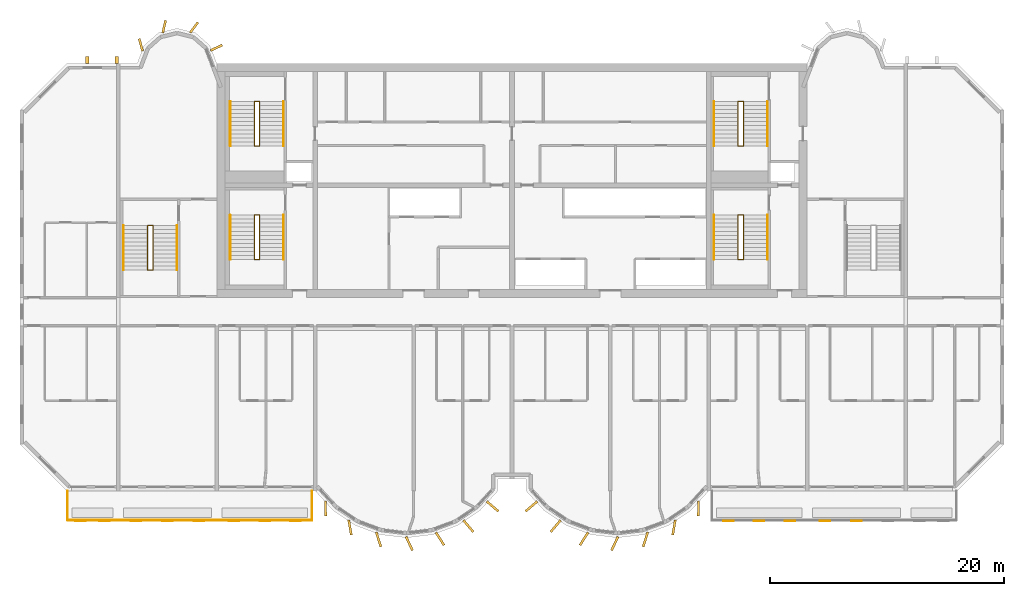
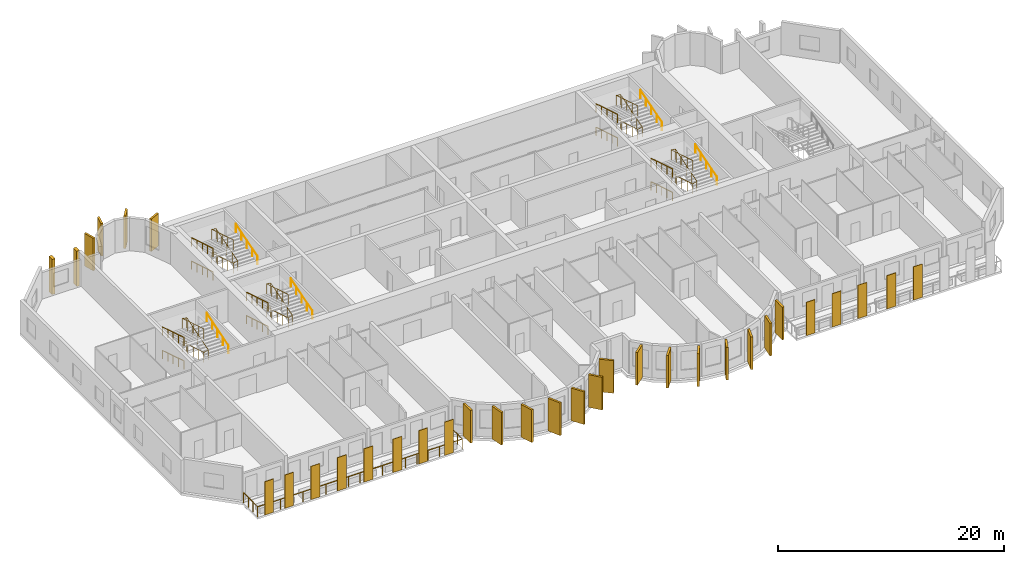
# One storey, part 11 of 13: 33 coverings, 21 railings.
"""IFC4 building model written with IfcOpenShell, lengths in metres."""

from ifc_helpers import new_model, si_unit, direction, frame, origin, origin_2d, place, context, subcontext, project, spatial, rectangle, circle, extrude, source, transform, mapped, material, layer, layer_set, material_profile, profile_set, type_object, element, save


model = new_model("IFC4")

# Units and contexts
model_context = context("Model", 3, precision=1e-05, world=origin(), true_north=direction((0.0, 1.0)))
body_context = subcontext(model_context, "Body", "Model", "MODEL_VIEW")
ifc_project = project(units=[si_unit("LENGTHUNIT", "METRE"), si_unit("AREAUNIT", "SQUARE_METRE"), si_unit("VOLUMEUNIT", "CUBIC_METRE"), si_unit("PLANEANGLEUNIT", "RADIAN"), si_unit("MASSUNIT", "GRAM", prefix="KILO")], contexts=[model_context])

# Site, building, storey
site_placement = place(None, origin())
site = spatial("IfcSite", under=ifc_project, at=site_placement, CompositionType="ELEMENT")
building_placement = place(site_placement, origin())
building = spatial("IfcBuilding", under=site, at=building_placement, Name="Vanashikhar Sky Hotel", CompositionType="ELEMENT")
storey_placement = place(building_placement, frame((0.0, 0.0, 151.60009765625)))
storey = spatial("IfcBuildingStorey", under=building, at=storey_placement, Name="L36", CompositionType="ELEMENT", Elevation=151.60009765625)

# Coverings
ifc_material_1 = material(Name="Terracotta", Category="masonry")
ifc_layer = layer(ifc_material_1, 0.06005859375)
ifc_layer_set = layer_set([ifc_layer], Name="Terracotta baguette screen")
covering_type_1 = type_object("IfcCoveringType", Name="Terracotta baguette screen", PredefinedType="CLADDING", material=ifc_layer_set)
shared_shape_1 = source(origin(), body_context, "Body", "SweptSolid", [
    extrude(rectangle(XDim=0.89990234375, YDim=0.06005859375, at=origin_2d()), origin(), (0.0, 0.0, 1.0), 3.60009765625),
])
for number, where, z_axis, x_axis, name in (
    (1, (13.574951171875, 2.929931640625, -0.050048828125), (0.0, 0.0, 1.0), (1.0, 0.0, 0.0), "Terracotta screen"),
    (2, (15.625, 2.929931640625, -0.050048828125), (0.0, 0.0, 1.0), (1.0, 0.0, 0.0), "Terracotta screen"),
    (3, (18.300048828125, 2.929931640625, -0.050048828125), (0.0, 0.0, 1.0), (1.0, 0.0, 0.0), "Terracotta screen"),
    (4, (21.0, 2.929931640625, -0.050048828125), (0.0, 0.0, 1.0), (1.0, 0.0, 0.0), "Terracotta screen"),
    (5, (23.699951171875, 2.929931640625, -0.050048828125), (0.0, 0.0, 1.0), (1.0, 0.0, 0.0), "Terracotta screen"),
    (6, (26.666748046875, 2.929931640625, -0.050048828125), (0.0, 0.0, 1.0), (1.0, 0.0, 0.0), "Terracotta screen"),
    (7, (29.300048828125, 2.929931640625, -0.050048828125), (0.0, 0.0, 1.0), (1.0, 0.0, 0.0), "Terracotta screen"),
    (8, (31.933349609375, 2.929931640625, -0.050048828125), (0.0, 0.0, 1.0), (1.0, 0.0, 0.0), "Terracotta screen"),
    (9, (68.86669921875, 2.929931640625, -0.050048828125), (0.0, 0.0, 1.0), (1.0, 0.0, 0.0), "Terracotta screen"),
    (10, (71.5, 2.929931640625, -0.050048828125), (0.0, 0.0, 1.0), (1.0, 0.0, 0.0), "Terracotta screen"),
    (11, (74.13330078125, 2.929931640625, -0.050048828125), (0.0, 0.0, 1.0), (1.0, 0.0, 0.0), "Terracotta screen"),
    (12, (77.10009765625, 2.929931640625, -0.050048828125), (0.0, 0.0, 1.0), (1.0, 0.0, 0.0), "Terracotta screen"),
    (13, (79.800048828125, 2.929931640625, -0.050048828125), (0.0, 0.0, 1.0), (1.0, 0.0, 0.0), "Terracotta screen"),
):
    element("IfcCovering", number, at=place(storey_placement, frame(where, z_axis=z_axis, x_axis=x_axis)), inside=storey, type_object=covering_type_1, Name=name, PredefinedType="CLADDING", context=body_context, shape_type="MappedRepresentation", body=[
        mapped(shared_shape_1, transform((0.0, 0.0, 0.0), scale=1.0)),
    ])
ifc_material_2 = material(Name="Concrete M60 dark", Category="concrete")
ifc_material_profile_1 = material_profile(ifc_material_2, rectangle(XDim=1.300048828125, YDim=0.199951171875, at=origin_2d()))
ifc_profile_set_1 = profile_set([ifc_material_profile_1], Name="Fin 1300 x 200")
covering_type_2 = type_object("IfcCoveringType", Name="Fin 1300 x 200", PredefinedType="CLADDING", material=ifc_profile_set_1)
shared_shape_2 = source(origin(), body_context, "Body", "SweptSolid", [
    extrude(rectangle(XDim=1.300048828125, YDim=0.199951171875, at=origin_2d()), origin(), (0.0, 0.0, 1.0), 3.52001953125),
])
for number, where, z_axis, x_axis, name in (
    (14, (34.482421875, 3.992919921875, 0.0), (0.0, 0.0, 1.0), (0.011588726826, -0.999932848451, 0.0), "Fin F1-1"),
    (15, (36.572509765625, 2.3779296875, 0.0), (0.0, 0.0, 1.0), (0.16989991575, -0.985461322746, 0.0), "Fin F1-2"),
    (16, (39.00830078125, 1.35693359375, 0.0), (0.0, 0.0, 1.0), (0.303966551867, -0.952682704444, 0.0), "Fin F1-3"),
    (17, (41.63232421875, 1.00146484375, 0.0), (0.0, 0.0, 1.0), (0.422618261741, -0.906307787037, 0.0), "Fin F1-4"),
    (18, (44.251953125, 1.416015625, 0.0), (0.0, 0.0, 1.0), (0.534411358496, -0.845224526331, 0.0), "Fin F1-5"),
    (19, (46.676025390625, 2.5, 0.0), (0.0, 0.0, 1.0), (0.645697609467, -0.763593214433, 0.0), "Fin F1-6"),
    (20, (48.7412109375, 4.1845703125, 0.0), (0.0, 0.0, 1.0), (0.758543912032, -0.65162192529, 0.0), "Fin F1-7"),
    (21, (52.058837890625, 4.1845703125, 0.0), (0.0, 0.0, 1.0), (-0.758543912032, -0.65162192529, 0.0), "Fin F2-1"),
    (22, (54.123779296875, 2.5, 0.0), (0.0, 0.0, 1.0), (-0.645697609467, -0.763593214433, 0.0), "Fin F2-2"),
    (23, (56.547119140625, 1.416015625, 0.0), (0.0, 0.0, 1.0), (-0.534411358496, -0.845224526331, 0.0), "Fin F2-3"),
    (24, (59.16748046875, 1.00146484375, 0.0), (0.0, 0.0, 1.0), (-0.422618261741, -0.906307787037, 0.0), "Fin F2-4"),
    (25, (61.790771484375, 1.35693359375, 0.0), (0.0, 0.0, 1.0), (-0.303966551867, -0.952682704444, 0.0), "Fin F2-5"),
    (26, (64.2275390625, 2.3779296875, 0.0), (0.0, 0.0, 1.0), (-0.16989991575, -0.985461322746, 0.0), "Fin F2-6"),
    (27, (66.317626953125, 3.992919921875, 0.0), (0.0, 0.0, 1.0), (-0.011588726826, -0.999932848451, 0.0), "Fin F2-7"),
):
    element("IfcCovering", number, at=place(storey_placement, frame(where, z_axis=z_axis, x_axis=x_axis)), inside=storey, type_object=covering_type_2, Name=name, PredefinedType="CLADDING", context=body_context, shape_type="MappedRepresentation", body=[
        mapped(shared_shape_2, transform((0.0, 0.0, 0.0), scale=1.0)),
    ])
ifc_material_profile_2 = material_profile(ifc_material_2, rectangle(XDim=1.10009765625, YDim=0.199951171875, at=origin_2d()))
ifc_profile_set_2 = profile_set([ifc_material_profile_2], Name="Rear lobe fin 1100 x 200")
covering_type_3 = type_object("IfcCoveringType", Name="Rear lobe fin 1100 x 200", PredefinedType="CLADDING", material=ifc_profile_set_2)
shared_shape_3 = source(origin(), body_context, "Body", "SweptSolid", [
    extrude(rectangle(XDim=1.10009765625, YDim=0.199951171875, at=origin_2d()), origin(), (0.0, 0.0, 1.0), 3.52001953125),
])
for number, where, z_axis, x_axis, name in (
    (28, (18.720703125, 43.580078125, 0.0), (0.0, 0.0, 1.0), (-0.262711264409, 0.964874495234, 0.0), "Fin R1-1"),
    (29, (20.710205078125, 45.1455078125, 0.0), (0.0, 0.0, 1.0), (0.224644935864, 0.974440687159, 0.0), "Fin R1-2"),
    (30, (23.261962890625, 45.06640625, 0.0), (0.0, 0.0, 1.0), (0.602065892195, 0.798446404874, 0.0), "Fin R1-3"),
    (31, (25.169677734375, 43.33447265625, 0.0), (0.0, 0.0, 1.0), (0.908004291068, 0.418960866193, 0.0), "Fin R1-4"),
):
    element("IfcCovering", number, at=place(storey_placement, frame(where, z_axis=z_axis, x_axis=x_axis)), inside=storey, type_object=covering_type_3, Name=name, PredefinedType="CLADDING", context=body_context, shape_type="MappedRepresentation", body=[
        mapped(shared_shape_3, transform((0.0, 0.0, 0.0), scale=1.0)),
    ])

# Railing
ifc_material_3 = material(Name="Stainless steel 316", Category="steel")
railing_type_1 = type_object("IfcRailingType", Name="Balcony guard 1100", PredefinedType="GUARDRAIL", material=ifc_material_3)
shared_shape_4 = source(origin(), body_context, "Body", "SweptSolid", [
    extrude(circle(Radius=0.02392578125, at=origin_2d()), frame((0.0, 0.0, 1.076171875), z_axis=(0.0, -1.0, 0.0), x_axis=(1.0, 0.0, 0.0)), (0.0, 0.0, 1.0), 2.5),
    extrude(circle(Radius=0.02392578125, at=origin_2d()), frame((0.0, -2.5, 1.076171875), z_axis=(1.0, 0.0, 0.0), x_axis=(0.0, 1.0, 0.0)), (0.0, 0.0, 1.0), 20.880126953125),
    extrude(circle(Radius=0.02392578125, at=origin_2d()), frame((20.880126953125, -2.5, 1.076171875), z_axis=(0.0, 1.0, 0.0), x_axis=(-1.0, 0.0, 0.0)), (0.0, 0.0, 1.0), 2.5),
    extrude(circle(Radius=0.02099609375, at=origin_2d()), origin(), (0.0, 0.0, 1.0), 1.052001953125),
    extrude(circle(Radius=0.02099609375, at=origin_2d()), frame((0.0, -0.833251953125, 0.0)), (0.0, 0.0, 1.0), 1.052001953125),
    extrude(circle(Radius=0.02099609375, at=origin_2d()), frame((0.0, -1.666748046875, 0.0)), (0.0, 0.0, 1.0), 1.052001953125),
    extrude(circle(Radius=0.02099609375, at=origin_2d()), frame((0.0, -2.5, 0.0)), (0.0, 0.0, 1.0), 1.052001953125),
    extrude(circle(Radius=0.02099609375, at=origin_2d()), frame((1.159912109375, -2.5, 0.0)), (0.0, 0.0, 1.0), 1.052001953125),
    extrude(circle(Radius=0.02099609375, at=origin_2d()), frame((2.320068359375, -2.5, 0.0)), (0.0, 0.0, 1.0), 1.052001953125),
    extrude(circle(Radius=0.02099609375, at=origin_2d()), frame((3.47998046875, -2.5, 0.0)), (0.0, 0.0, 1.0), 1.052001953125),
    extrude(circle(Radius=0.02099609375, at=origin_2d()), frame((4.64013671875, -2.5, 0.0)), (0.0, 0.0, 1.0), 1.052001953125),
    extrude(circle(Radius=0.02099609375, at=origin_2d()), frame((5.800048828125, -2.5, 0.0)), (0.0, 0.0, 1.0), 1.052001953125),
    extrude(circle(Radius=0.02099609375, at=origin_2d()), frame((6.9599609375, -2.5, 0.0)), (0.0, 0.0, 1.0), 1.052001953125),
    extrude(circle(Radius=0.02099609375, at=origin_2d()), frame((8.1201171875, -2.5, 0.0)), (0.0, 0.0, 1.0), 1.052001953125),
    extrude(circle(Radius=0.02099609375, at=origin_2d()), frame((9.280029296875, -2.5, 0.0)), (0.0, 0.0, 1.0), 1.052001953125),
    extrude(circle(Radius=0.02099609375, at=origin_2d()), frame((10.43994140625, -2.5, 0.0)), (0.0, 0.0, 1.0), 1.052001953125),
    extrude(circle(Radius=0.02099609375, at=origin_2d()), frame((11.60009765625, -2.5, 0.0)), (0.0, 0.0, 1.0), 1.052001953125),
    extrude(circle(Radius=0.02099609375, at=origin_2d()), frame((12.760009765625, -2.5, 0.0)), (0.0, 0.0, 1.0), 1.052001953125),
    extrude(circle(Radius=0.02099609375, at=origin_2d()), frame((13.920166015625, -2.5, 0.0)), (0.0, 0.0, 1.0), 1.052001953125),
    extrude(circle(Radius=0.02099609375, at=origin_2d()), frame((15.080078125, -2.5, 0.0)), (0.0, 0.0, 1.0), 1.052001953125),
    extrude(circle(Radius=0.02099609375, at=origin_2d()), frame((16.239990234375, -2.5, 0.0)), (0.0, 0.0, 1.0), 1.052001953125),
    extrude(circle(Radius=0.02099609375, at=origin_2d()), frame((17.400146484375, -2.5, 0.0)), (0.0, 0.0, 1.0), 1.052001953125),
    extrude(circle(Radius=0.02099609375, at=origin_2d()), frame((18.56005859375, -2.5, 0.0)), (0.0, 0.0, 1.0), 1.052001953125),
    extrude(circle(Radius=0.02099609375, at=origin_2d()), frame((19.72021484375, -2.5, 0.0)), (0.0, 0.0, 1.0), 1.052001953125),
    extrude(circle(Radius=0.02099609375, at=origin_2d()), frame((20.880126953125, -2.5, 0.0)), (0.0, 0.0, 1.0), 1.052001953125),
    extrude(circle(Radius=0.02099609375, at=origin_2d()), frame((20.880126953125, -1.666748046875, 0.0)), (0.0, 0.0, 1.0), 1.052001953125),
    extrude(circle(Radius=0.02099609375, at=origin_2d()), frame((20.880126953125, -0.833251953125, 0.0)), (0.0, 0.0, 1.0), 1.052001953125),
    extrude(circle(Radius=0.02099609375, at=origin_2d()), frame((20.880126953125, 0.0, 0.0)), (0.0, 0.0, 1.0), 1.052001953125),
])
railing_1_placement = place(storey_placement, frame((12.4599609375, 5.5, -0.050048828125)))
element("IfcRailing", 32, at=railing_1_placement, inside=storey, type_object=railing_type_1, Name="Balcony guard", PredefinedType="GUARDRAIL", context=body_context, shape_type="MappedRepresentation", body=[
    mapped(shared_shape_4, transform((0.0, 0.0, 0.0), scale=1.0)),
])

# Coverings
ifc_material_profile_3 = material_profile(ifc_material_2, rectangle(XDim=0.60009765625, YDim=0.300048828125, at=origin_2d()))
ifc_profile_set_3 = profile_set([ifc_material_profile_3], Name="Rear rib 600 x 300")
covering_type_4 = type_object("IfcCoveringType", Name="Rear rib 600 x 300", PredefinedType="CLADDING", material=ifc_profile_set_3)
shared_shape_5 = source(origin(), body_context, "Body", "SweptSolid", [
    extrude(rectangle(XDim=0.60009765625, YDim=0.300048828125, at=origin_2d()), origin(), (0.0, 0.0, 1.0), 3.800048828125),
])
for number, where, z_axis, x_axis, name in (
    (33, (14.14990234375, 42.300048828125, -0.280029296875), (0.0, 0.0, 1.0), (0.0, 1.0, 0.0), "Rear rib"),
    (34, (16.64990234375, 42.300048828125, -0.280029296875), (0.0, 0.0, 1.0), (0.0, 1.0, 0.0), "Rear rib"),
):
    element("IfcCovering", number, at=place(storey_placement, frame(where, z_axis=z_axis, x_axis=x_axis)), inside=storey, type_object=covering_type_4, Name=name, PredefinedType="CLADDING", context=body_context, shape_type="MappedRepresentation", body=[
        mapped(shared_shape_5, transform((0.0, 0.0, 0.0), scale=1.0)),
    ])

# Railings
ifc_material_4 = material(Name="Steel S355", Category="steel")
railing_type_2 = type_object("IfcRailingType", Name="Stair handrail 900", PredefinedType="HANDRAIL", material=ifc_material_4)
shared_shape_6 = source(origin(), body_context, "Body", "SweptSolid", [
    extrude(circle(Radius=0.02392578125, at=origin_2d()), frame((0.0, 0.0, 0.8759765625), z_axis=(0.0, 0.95635109408, 0.292220096591), x_axis=(-1.0, 0.0, 0.0)), (0.0, 0.0, 1.0), 3.973388671875),
    extrude(circle(Radius=0.02099609375, at=origin_2d()), origin(), (0.0, 0.0, 1.0), 0.851806640625),
    extrude(circle(Radius=0.02099609375, at=origin_2d()), frame((0.0, 0.949951171875, 0.290283203125)), (0.0, 0.0, 1.0), 0.851806640625),
    extrude(circle(Radius=0.02099609375, at=origin_2d()), frame((0.0, 1.89990234375, 0.58056640625)), (0.0, 0.0, 1.0), 0.851806640625),
    extrude(circle(Radius=0.02099609375, at=origin_2d()), frame((0.0, 2.85009765625, 0.870849609375)), (0.0, 0.0, 1.0), 0.851806640625),
    extrude(circle(Radius=0.02099609375, at=origin_2d()), frame((0.0, 3.800048828125, 1.1611328125)), (0.0, 0.0, 1.0), 0.851806640625),
])
for number, where, name in (
    (35, (30.89990234375, 25.25, 1.3720703125), "Exit stair 1 handrail"),
    (36, (72.199951171875, 25.25, 1.3720703125), "Exit stair 2 handrail"),
    (37, (30.89990234375, 34.949951171875, 1.3720703125), "Exit stair 5 handrail"),
    (38, (72.199951171875, 34.949951171875, 1.3720703125), "Exit stair 6 handrail"),
):
    element("IfcRailing", number, at=place(storey_placement, frame(where)), inside=storey, type_object=railing_type_2, Name=name, PredefinedType="HANDRAIL", context=body_context, shape_type="MappedRepresentation", body=[
        mapped(shared_shape_6, transform((0.0, 0.0, 0.0), scale=1.0)),
    ])
shared_shape_7 = source(origin(), body_context, "Body", "SweptSolid", [
    extrude(circle(Radius=0.02392578125, at=origin_2d()), frame((0.0, 0.0, 0.8759765625), z_axis=(0.0, -0.95635109408, 0.292220096591), x_axis=(1.0, 0.0, 0.0)), (0.0, 0.0, 1.0), 3.973388671875),
    extrude(circle(Radius=0.02099609375, at=origin_2d()), origin(), (0.0, 0.0, 1.0), 0.851806640625),
    extrude(circle(Radius=0.02099609375, at=origin_2d()), frame((0.0, -0.949951171875, 0.290283203125)), (0.0, 0.0, 1.0), 0.851806640625),
    extrude(circle(Radius=0.02099609375, at=origin_2d()), frame((0.0, -1.89990234375, 0.58056640625)), (0.0, 0.0, 1.0), 0.851806640625),
    extrude(circle(Radius=0.02099609375, at=origin_2d()), frame((0.0, -2.85009765625, 0.870849609375)), (0.0, 0.0, 1.0), 0.851806640625),
    extrude(circle(Radius=0.02099609375, at=origin_2d()), frame((0.0, -3.800048828125, 1.1611328125)), (0.0, 0.0, 1.0), 0.851806640625),
])
for number, where, name in (
    (39, (26.35009765625, 29.050048828125, 0.10546875), "Exit stair 1 handrail"),
    (40, (26.35009765625, 29.050048828125, 2.638671875), "Exit stair 1 handrail"),
    (41, (67.64990234375, 29.050048828125, 0.10546875), "Exit stair 2 handrail"),
    (42, (67.64990234375, 29.050048828125, 2.638671875), "Exit stair 2 handrail"),
    (43, (26.35009765625, 38.75, 0.10546875), "Exit stair 5 handrail"),
    (44, (26.35009765625, 38.75, 2.638671875), "Exit stair 5 handrail"),
    (45, (67.64990234375, 38.75, 0.10546875), "Exit stair 6 handrail"),
    (46, (67.64990234375, 38.75, 2.638671875), "Exit stair 6 handrail"),
):
    element("IfcRailing", number, at=place(storey_placement, frame(where)), inside=storey, type_object=railing_type_2, Name=name, PredefinedType="HANDRAIL", context=body_context, shape_type="MappedRepresentation", body=[
        mapped(shared_shape_7, transform((0.0, 0.0, 0.0), scale=1.0)),
    ])
railing_type_3 = type_object("IfcRailingType", Name="Stair guard 1100", PredefinedType="GUARDRAIL", material=ifc_material_4)
shared_shape_8 = source(origin(), body_context, "Body", "SweptSolid", [
    extrude(circle(Radius=0.02392578125, at=origin_2d()), frame((0.0, 0.0, 1.076171875), z_axis=(-0.973638301096, 0.0, 0.228097476179), x_axis=(0.0, -1.0, 0.0)), (0.0, 0.0, 1.0), 0.46240234375),
    extrude(circle(Radius=0.02392578125, at=origin_2d()), frame((-0.4501953125, 0.0, 1.181640625), z_axis=(0.0, -0.95635109408, 0.292220096591), x_axis=(1.0, 0.0, 0.0)), (0.0, 0.0, 1.0), 3.973388671875),
    extrude(circle(Radius=0.02392578125, at=origin_2d()), frame((-0.4501953125, -3.800048828125, 2.3427734375), z_axis=(0.973638301096, 0.0, 0.228097476179), x_axis=(0.0, 1.0, 0.0)), (0.0, 0.0, 1.0), 0.46240234375),
    extrude(circle(Radius=0.02392578125, at=origin_2d()), frame((0.0, -3.800048828125, 2.4482421875), z_axis=(0.0, 0.95635109408, 0.292220096591), x_axis=(-1.0, 0.0, 0.0)), (0.0, 0.0, 1.0), 3.973388671875),
    extrude(circle(Radius=0.02392578125, at=origin_2d()), frame((0.0, 0.0, 3.609375), z_axis=(-0.973638301096, 0.0, 0.228097476179), x_axis=(0.0, -1.0, 0.0)), (0.0, 0.0, 1.0), 0.46240234375),
    extrude(circle(Radius=0.02392578125, at=origin_2d()), frame((-0.4501953125, 0.0, 3.71484375), z_axis=(0.0, -0.95635109408, 0.292220096591), x_axis=(1.0, 0.0, 0.0)), (0.0, 0.0, 1.0), 3.973388671875),
    extrude(circle(Radius=0.02099609375, at=origin_2d()), origin(), (0.0, 0.0, 1.0), 1.052001953125),
    extrude(circle(Radius=0.02099609375, at=origin_2d()), frame((-0.4501953125, 0.0, 0.10546875)), (0.0, 0.0, 1.0), 1.052001953125),
    extrude(circle(Radius=0.02099609375, at=origin_2d()), frame((-0.4501953125, -0.949951171875, 0.395751953125)), (0.0, 0.0, 1.0), 1.052001953125),
    extrude(circle(Radius=0.02099609375, at=origin_2d()), frame((-0.4501953125, -1.89990234375, 0.68603515625)), (0.0, 0.0, 1.0), 1.052001953125),
    extrude(circle(Radius=0.02099609375, at=origin_2d()), frame((-0.4501953125, -2.85009765625, 0.976318359375)), (0.0, 0.0, 1.0), 1.052001953125),
    extrude(circle(Radius=0.02099609375, at=origin_2d()), frame((-0.4501953125, -3.800048828125, 1.2666015625)), (0.0, 0.0, 1.0), 1.052001953125),
    extrude(circle(Radius=0.02099609375, at=origin_2d()), frame((0.0, -3.800048828125, 1.3720703125)), (0.0, 0.0, 1.0), 1.052001953125),
    extrude(circle(Radius=0.02099609375, at=origin_2d()), frame((0.0, -2.85009765625, 1.662353515625)), (0.0, 0.0, 1.0), 1.052001953125),
    extrude(circle(Radius=0.02099609375, at=origin_2d()), frame((0.0, -1.89990234375, 1.95263671875)), (0.0, 0.0, 1.0), 1.052001953125),
    extrude(circle(Radius=0.02099609375, at=origin_2d()), frame((0.0, -0.949951171875, 2.242919921875)), (0.0, 0.0, 1.0), 1.052001953125),
    extrude(circle(Radius=0.02099609375, at=origin_2d()), frame((0.0, 0.0, 2.533203125)), (0.0, 0.0, 1.0), 1.052001953125),
    extrude(circle(Radius=0.02099609375, at=origin_2d()), frame((-0.4501953125, 0.0, 2.638671875)), (0.0, 0.0, 1.0), 1.052001953125),
    extrude(circle(Radius=0.02099609375, at=origin_2d()), frame((-0.4501953125, -0.949951171875, 2.928955078125)), (0.0, 0.0, 1.0), 1.052001953125),
    extrude(circle(Radius=0.02099609375, at=origin_2d()), frame((-0.4501953125, -1.89990234375, 3.21923828125)), (0.0, 0.0, 1.0), 1.052001953125),
    extrude(circle(Radius=0.02099609375, at=origin_2d()), frame((-0.4501953125, -2.85009765625, 3.509521484375)), (0.0, 0.0, 1.0), 1.052001953125),
    extrude(circle(Radius=0.02099609375, at=origin_2d()), frame((-0.4501953125, -3.800048828125, 3.7998046875)), (0.0, 0.0, 1.0), 1.052001953125),
])
for number, where, name in (
    (47, (28.85009765625, 29.050048828125, 0.0), "Exit stair 1 guard"),
    (48, (28.85009765625, 38.75, 0.0), "Exit stair 5 guard"),
):
    element("IfcRailing", number, at=place(storey_placement, frame(where)), inside=storey, type_object=railing_type_3, Name=name, PredefinedType="GUARDRAIL", context=body_context, shape_type="MappedRepresentation", body=[
        mapped(shared_shape_8, transform((0.0, 0.0, 0.0), scale=1.0)),
    ])
shared_shape_9 = source(origin(), body_context, "Body", "SweptSolid", [
    extrude(circle(Radius=0.02392578125, at=origin_2d()), frame((0.0, 0.0, 1.076171875), z_axis=(-0.973610808694, 0.0, 0.228214796178), x_axis=(0.0, -1.0, 0.0)), (0.0, 0.0, 1.0), 0.462158203125),
    extrude(circle(Radius=0.02392578125, at=origin_2d()), frame((-0.449951171875, 0.0, 1.181640625), z_axis=(0.0, -0.95635109408, 0.292220096591), x_axis=(1.0, 0.0, 0.0)), (0.0, 0.0, 1.0), 3.973388671875),
    extrude(circle(Radius=0.02392578125, at=origin_2d()), frame((-0.449951171875, -3.800048828125, 2.3427734375), z_axis=(0.973610808694, 0.0, 0.228214796178), x_axis=(0.0, 1.0, 0.0)), (0.0, 0.0, 1.0), 0.462158203125),
    extrude(circle(Radius=0.02392578125, at=origin_2d()), frame((0.0, -3.800048828125, 2.4482421875), z_axis=(0.0, 0.95635109408, 0.292220096591), x_axis=(-1.0, 0.0, 0.0)), (0.0, 0.0, 1.0), 3.973388671875),
    extrude(circle(Radius=0.02392578125, at=origin_2d()), frame((0.0, 0.0, 3.609375), z_axis=(-0.973610808694, 0.0, 0.228214796178), x_axis=(0.0, -1.0, 0.0)), (0.0, 0.0, 1.0), 0.462158203125),
    extrude(circle(Radius=0.02392578125, at=origin_2d()), frame((-0.449951171875, 0.0, 3.71484375), z_axis=(0.0, -0.95635109408, 0.292220096591), x_axis=(1.0, 0.0, 0.0)), (0.0, 0.0, 1.0), 3.973388671875),
    extrude(circle(Radius=0.02099609375, at=origin_2d()), origin(), (0.0, 0.0, 1.0), 1.052001953125),
    extrude(circle(Radius=0.02099609375, at=origin_2d()), frame((-0.449951171875, 0.0, 0.10546875)), (0.0, 0.0, 1.0), 1.052001953125),
    extrude(circle(Radius=0.02099609375, at=origin_2d()), frame((-0.449951171875, -0.949951171875, 0.395751953125)), (0.0, 0.0, 1.0), 1.052001953125),
    extrude(circle(Radius=0.02099609375, at=origin_2d()), frame((-0.449951171875, -1.89990234375, 0.68603515625)), (0.0, 0.0, 1.0), 1.052001953125),
    extrude(circle(Radius=0.02099609375, at=origin_2d()), frame((-0.449951171875, -2.85009765625, 0.976318359375)), (0.0, 0.0, 1.0), 1.052001953125),
    extrude(circle(Radius=0.02099609375, at=origin_2d()), frame((-0.449951171875, -3.800048828125, 1.2666015625)), (0.0, 0.0, 1.0), 1.052001953125),
    extrude(circle(Radius=0.02099609375, at=origin_2d()), frame((0.0, -3.800048828125, 1.3720703125)), (0.0, 0.0, 1.0), 1.052001953125),
    extrude(circle(Radius=0.02099609375, at=origin_2d()), frame((0.0, -2.85009765625, 1.662353515625)), (0.0, 0.0, 1.0), 1.052001953125),
    extrude(circle(Radius=0.02099609375, at=origin_2d()), frame((0.0, -1.89990234375, 1.95263671875)), (0.0, 0.0, 1.0), 1.052001953125),
    extrude(circle(Radius=0.02099609375, at=origin_2d()), frame((0.0, -0.949951171875, 2.242919921875)), (0.0, 0.0, 1.0), 1.052001953125),
    extrude(circle(Radius=0.02099609375, at=origin_2d()), frame((0.0, 0.0, 2.533203125)), (0.0, 0.0, 1.0), 1.052001953125),
    extrude(circle(Radius=0.02099609375, at=origin_2d()), frame((-0.449951171875, 0.0, 2.638671875)), (0.0, 0.0, 1.0), 1.052001953125),
    extrude(circle(Radius=0.02099609375, at=origin_2d()), frame((-0.449951171875, -0.949951171875, 2.928955078125)), (0.0, 0.0, 1.0), 1.052001953125),
    extrude(circle(Radius=0.02099609375, at=origin_2d()), frame((-0.449951171875, -1.89990234375, 3.21923828125)), (0.0, 0.0, 1.0), 1.052001953125),
    extrude(circle(Radius=0.02099609375, at=origin_2d()), frame((-0.449951171875, -2.85009765625, 3.509521484375)), (0.0, 0.0, 1.0), 1.052001953125),
    extrude(circle(Radius=0.02099609375, at=origin_2d()), frame((-0.449951171875, -3.800048828125, 3.7998046875)), (0.0, 0.0, 1.0), 1.052001953125),
])
for number, where, name in (
    (49, (70.14990234375, 29.050048828125, 0.0), "Exit stair 2 guard"),
    (50, (70.14990234375, 38.75, 0.0), "Exit stair 6 guard"),
):
    element("IfcRailing", number, at=place(storey_placement, frame(where)), inside=storey, type_object=railing_type_3, Name=name, PredefinedType="GUARDRAIL", context=body_context, shape_type="MappedRepresentation", body=[
        mapped(shared_shape_9, transform((0.0, 0.0, 0.0), scale=1.0)),
    ])
shared_shape_10 = source(origin(), body_context, "Body", "SweptSolid", [
    extrude(circle(Radius=0.02392578125, at=origin_2d()), frame((0.0, 0.0, 0.8759765625), z_axis=(0.0, 0.956345846891, 0.292237268557), x_axis=(-1.0, 0.0, 0.0)), (0.0, 0.0, 1.0), 3.97314453125),
    extrude(circle(Radius=0.02099609375, at=origin_2d()), origin(), (0.0, 0.0, 1.0), 0.851806640625),
    extrude(circle(Radius=0.02099609375, at=origin_2d()), frame((0.0, 0.949951171875, 0.290283203125)), (0.0, 0.0, 1.0), 0.851806640625),
    extrude(circle(Radius=0.02099609375, at=origin_2d()), frame((0.0, 1.89990234375, 0.58056640625)), (0.0, 0.0, 1.0), 0.851806640625),
    extrude(circle(Radius=0.02099609375, at=origin_2d()), frame((0.0, 2.849853515625, 0.870849609375)), (0.0, 0.0, 1.0), 0.851806640625),
    extrude(circle(Radius=0.02099609375, at=origin_2d()), frame((0.0, 3.7998046875, 1.1611328125)), (0.0, 0.0, 1.0), 0.851806640625),
])
railing_2_placement = place(storey_placement, frame((21.800048828125, 24.35009765625, 1.3720703125)))
element("IfcRailing", 51, at=railing_2_placement, inside=storey, type_object=railing_type_2, Name="Exit stair 3 handrail", PredefinedType="HANDRAIL", context=body_context, shape_type="MappedRepresentation", body=[
    mapped(shared_shape_10, transform((0.0, 0.0, 0.0), scale=1.0)),
])
shared_shape_11 = source(origin(), body_context, "Body", "SweptSolid", [
    extrude(circle(Radius=0.02392578125, at=origin_2d()), frame((0.0, 0.0, 0.8759765625), z_axis=(0.0, -0.956345846891, 0.292237268557), x_axis=(1.0, 0.0, 0.0)), (0.0, 0.0, 1.0), 3.97314453125),
    extrude(circle(Radius=0.02099609375, at=origin_2d()), origin(), (0.0, 0.0, 1.0), 0.851806640625),
    extrude(circle(Radius=0.02099609375, at=origin_2d()), frame((0.0, -0.949951171875, 0.290283203125)), (0.0, 0.0, 1.0), 0.851806640625),
    extrude(circle(Radius=0.02099609375, at=origin_2d()), frame((0.0, -1.89990234375, 0.58056640625)), (0.0, 0.0, 1.0), 0.851806640625),
    extrude(circle(Radius=0.02099609375, at=origin_2d()), frame((0.0, -2.849853515625, 0.870849609375)), (0.0, 0.0, 1.0), 0.851806640625),
    extrude(circle(Radius=0.02099609375, at=origin_2d()), frame((0.0, -3.7998046875, 1.1611328125)), (0.0, 0.0, 1.0), 0.851806640625),
])
for number, where, name in (
    (52, (17.25, 28.14990234375, 0.10546875), "Exit stair 3 handrail"),
    (53, (17.25, 28.14990234375, 2.638671875), "Exit stair 3 handrail"),
):
    element("IfcRailing", number, at=place(storey_placement, frame(where)), inside=storey, type_object=railing_type_2, Name=name, PredefinedType="HANDRAIL", context=body_context, shape_type="MappedRepresentation", body=[
        mapped(shared_shape_11, transform((0.0, 0.0, 0.0), scale=1.0)),
    ])
shared_shape_12 = source(origin(), body_context, "Body", "SweptSolid", [
    extrude(circle(Radius=0.02392578125, at=origin_2d()), frame((0.0, 0.0, 1.076171875), z_axis=(-0.973610808694, 0.0, 0.228214796178), x_axis=(0.0, -1.0, 0.0)), (0.0, 0.0, 1.0), 0.462158203125),
    extrude(circle(Radius=0.02392578125, at=origin_2d()), frame((-0.449951171875, 0.0, 1.181640625), z_axis=(0.0, -0.956345846891, 0.292237268557), x_axis=(1.0, 0.0, 0.0)), (0.0, 0.0, 1.0), 3.97314453125),
    extrude(circle(Radius=0.02392578125, at=origin_2d()), frame((-0.449951171875, -3.7998046875, 2.3427734375), z_axis=(0.973610808694, 0.0, 0.228214796178), x_axis=(0.0, 1.0, 0.0)), (0.0, 0.0, 1.0), 0.462158203125),
    extrude(circle(Radius=0.02392578125, at=origin_2d()), frame((0.0, -3.7998046875, 2.4482421875), z_axis=(0.0, 0.956345846891, 0.292237268557), x_axis=(-1.0, 0.0, 0.0)), (0.0, 0.0, 1.0), 3.97314453125),
    extrude(circle(Radius=0.02392578125, at=origin_2d()), frame((0.0, 0.0, 3.609375), z_axis=(-0.973610808694, 0.0, 0.228214796178), x_axis=(0.0, -1.0, 0.0)), (0.0, 0.0, 1.0), 0.462158203125),
    extrude(circle(Radius=0.02392578125, at=origin_2d()), frame((-0.449951171875, 0.0, 3.71484375), z_axis=(0.0, -0.956345846891, 0.292237268557), x_axis=(1.0, 0.0, 0.0)), (0.0, 0.0, 1.0), 3.97314453125),
    extrude(circle(Radius=0.02099609375, at=origin_2d()), origin(), (0.0, 0.0, 1.0), 1.052001953125),
    extrude(circle(Radius=0.02099609375, at=origin_2d()), frame((-0.449951171875, 0.0, 0.10546875)), (0.0, 0.0, 1.0), 1.052001953125),
    extrude(circle(Radius=0.02099609375, at=origin_2d()), frame((-0.449951171875, -0.949951171875, 0.395751953125)), (0.0, 0.0, 1.0), 1.052001953125),
    extrude(circle(Radius=0.02099609375, at=origin_2d()), frame((-0.449951171875, -1.89990234375, 0.68603515625)), (0.0, 0.0, 1.0), 1.052001953125),
    extrude(circle(Radius=0.02099609375, at=origin_2d()), frame((-0.449951171875, -2.849853515625, 0.976318359375)), (0.0, 0.0, 1.0), 1.052001953125),
    extrude(circle(Radius=0.02099609375, at=origin_2d()), frame((-0.449951171875, -3.7998046875, 1.2666015625)), (0.0, 0.0, 1.0), 1.052001953125),
    extrude(circle(Radius=0.02099609375, at=origin_2d()), frame((0.0, -3.7998046875, 1.3720703125)), (0.0, 0.0, 1.0), 1.052001953125),
    extrude(circle(Radius=0.02099609375, at=origin_2d()), frame((0.0, -2.849853515625, 1.662353515625)), (0.0, 0.0, 1.0), 1.052001953125),
    extrude(circle(Radius=0.02099609375, at=origin_2d()), frame((0.0, -1.89990234375, 1.95263671875)), (0.0, 0.0, 1.0), 1.052001953125),
    extrude(circle(Radius=0.02099609375, at=origin_2d()), frame((0.0, -0.949951171875, 2.242919921875)), (0.0, 0.0, 1.0), 1.052001953125),
    extrude(circle(Radius=0.02099609375, at=origin_2d()), frame((0.0, 0.0, 2.533203125)), (0.0, 0.0, 1.0), 1.052001953125),
    extrude(circle(Radius=0.02099609375, at=origin_2d()), frame((-0.449951171875, 0.0, 2.638671875)), (0.0, 0.0, 1.0), 1.052001953125),
    extrude(circle(Radius=0.02099609375, at=origin_2d()), frame((-0.449951171875, -0.949951171875, 2.928955078125)), (0.0, 0.0, 1.0), 1.052001953125),
    extrude(circle(Radius=0.02099609375, at=origin_2d()), frame((-0.449951171875, -1.89990234375, 3.21923828125)), (0.0, 0.0, 1.0), 1.052001953125),
    extrude(circle(Radius=0.02099609375, at=origin_2d()), frame((-0.449951171875, -2.849853515625, 3.509521484375)), (0.0, 0.0, 1.0), 1.052001953125),
    extrude(circle(Radius=0.02099609375, at=origin_2d()), frame((-0.449951171875, -3.7998046875, 3.7998046875)), (0.0, 0.0, 1.0), 1.052001953125),
])
railing_3_placement = place(storey_placement, frame((19.75, 28.14990234375, 0.0)))
element("IfcRailing", 54, at=railing_3_placement, inside=storey, type_object=railing_type_3, Name="Exit stair 3 guard", PredefinedType="GUARDRAIL", context=body_context, shape_type="MappedRepresentation", body=[
    mapped(shared_shape_12, transform((0.0, 0.0, 0.0), scale=1.0)),
])

save(model, "model.ifc")
